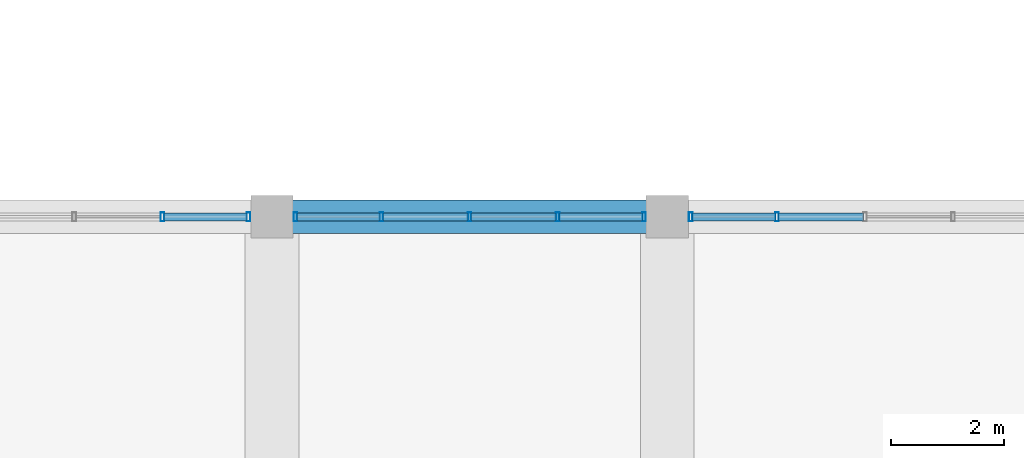
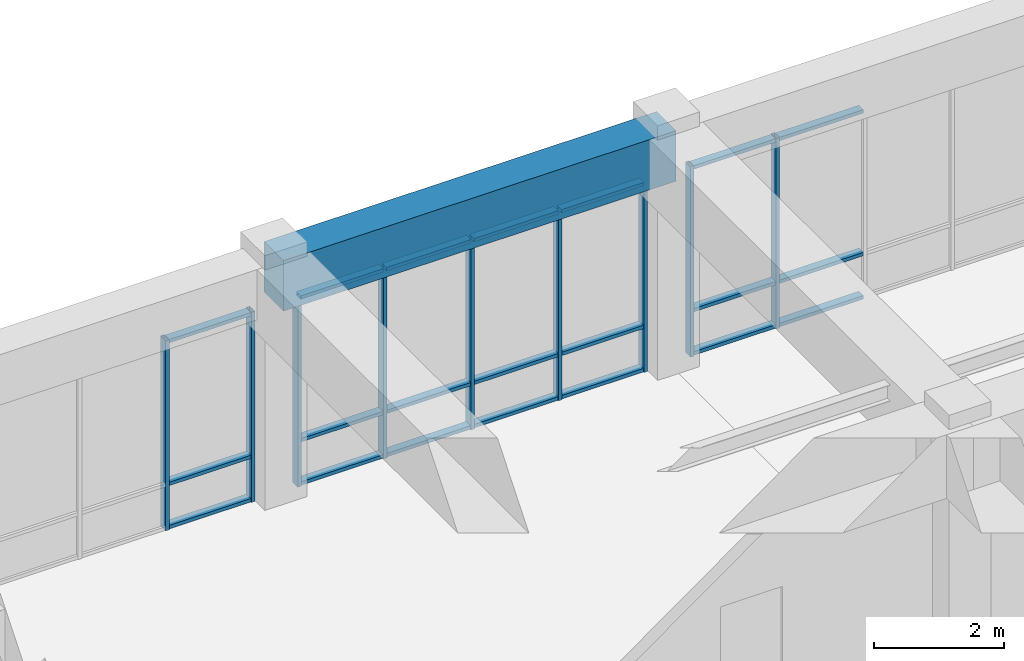
# One storey, part 57 of 99: 30 members, 1 beam, 3 elements without a shape of their own.
"""IFC4 building model written with IfcOpenShell, lengths in metres."""

from ifc_helpers import new_model, si_unit, direction, frame, origin, origin_2d, place, context, subcontext, project, spatial, rectangle, hollow_rectangle, extrude, material, layer, layer_set, material_profile, profile_set, type_object, element, aggregate, save


model = new_model("IFC4")

# Units and contexts
model_context = context("Model", 3, precision=1e-05, world=origin(), true_north=direction((0.0, 1.0)))
body_context = subcontext(model_context, "Body", "Model", "MODEL_VIEW")
ifc_project = project(units=[si_unit("LENGTHUNIT", "METRE"), si_unit("AREAUNIT", "SQUARE_METRE"), si_unit("VOLUMEUNIT", "CUBIC_METRE"), si_unit("PLANEANGLEUNIT", "RADIAN"), si_unit("MASSUNIT", "GRAM", prefix="KILO")], contexts=[model_context])

# Site, building, storey
site_placement = place(None, origin())
site = spatial("IfcSite", under=ifc_project, at=site_placement, CompositionType="ELEMENT")
building_placement = place(site_placement, origin())
building = spatial("IfcBuilding", under=site, at=building_placement, Name="Ventoquebrada Cableway Terminal", CompositionType="ELEMENT")
storey_placement = place(building_placement, frame((0.0, 0.0, 9.60009765625)))
storey = spatial("IfcBuildingStorey", under=building, at=storey_placement, Name="L02", CompositionType="ELEMENT", Elevation=9.60009765625)

# Beam
ifc_material_1 = material(Name="Concrete C40/50", Category="concrete")
ifc_material_profile_1 = material_profile(ifc_material_1, rectangle(XDim=0.60009765625, YDim=0.949951171875, at=origin_2d()), Name="RC-BM-600X950")
ifc_profile_set_1 = profile_set([ifc_material_profile_1], Name="Concrete C40/50")
beam_type = type_object("IfcBeamType", Name="BM-RC05", PredefinedType="BEAM", material=ifc_profile_set_1)
beam_placement = place(storey_placement, frame((102.0, 104.0, 4.054931640625), z_axis=(1.0, 0.0, 0.0), x_axis=(0.0, 1.0, 0.0)))
element("IfcBeam", 1, at=beam_placement, inside=storey, type_object=beam_type, Name="Perimeter spandrel beam FBM-0677", PredefinedType="BEAM", context=body_context, shape_type="SweptSolid", body=[
    extrude(rectangle(XDim=0.60009765625, YDim=0.949951171875, at=origin_2d()), origin(), (0.0, 0.0, 1.0), 7.0),
])

# Curtain wall, members
ifc_material_2 = material(Name="Anodized thermally-broken aluminium", Category="aluminium")
ifc_layer = layer(ifc_material_2, 0.159912109375)
ifc_layer_set = layer_set([ifc_layer], Name="Anodized thermally-broken aluminium")
curtain_wall_type = type_object("IfcCurtainWallType", Name="CW-T29", PredefinedType="USERDEFINED", material=ifc_layer_set)
curtain_wall_1_placement = place(storey_placement, origin())
curtain_wall_1 = element("IfcCurtainWall", 2, at=curtain_wall_1_placement, inside=storey, type_object=curtain_wall_type, Name="Unitised glazed curtain wall CW-069", ObjectType="UNITISED CURTAIN WALL", PredefinedType="USERDEFINED")
ifc_material_profile_2 = material_profile(ifc_material_2, hollow_rectangle(XDim=0.06494140625, YDim=0.159912109375, WallThickness=0.00390625, at=origin_2d()), Name="CW-MUL-65X160")
ifc_profile_set_2 = profile_set([ifc_material_profile_2], Name="Anodized thermally-broken aluminium")
member_type_1 = type_object("IfcMemberType", Name="CWM-01", PredefinedType="MULLION", material=ifc_profile_set_2)
member_1_placement = place(storey_placement, frame((101.5849609375, 104.0, -0.008056640625), z_axis=(0.0, 0.0, 1.0), x_axis=(-1.0, 0.0, 0.0)))
member_1 = element("IfcMember", 3, at=member_1_placement, type_object=member_type_1, Name="Curtain wall mullion FML-0320", PredefinedType="MULLION", context=body_context, shape_type="SweptSolid", body=[
    extrude(hollow_rectangle(XDim=0.06494140625, YDim=0.159912109375, WallThickness=0.00390625, at=origin_2d()), origin(), (0.0, 0.0, 1.0), 3.587890625),
])
member_2_placement = place(storey_placement, frame((100.06005859375, 104.0, -0.008056640625), z_axis=(0.0, 0.0, 1.0), x_axis=(-1.0, 0.0, 0.0)))
member_2 = element("IfcMember", 4, at=member_2_placement, type_object=member_type_1, Name="Curtain wall mullion FML-0321", PredefinedType="MULLION", context=body_context, shape_type="SweptSolid", body=[
    extrude(hollow_rectangle(XDim=0.06494140625, YDim=0.159912109375, WallThickness=0.00390625, at=origin_2d()), origin(), (0.0, 0.0, 1.0), 3.587890625),
])

curtain_wall_2_placement = place(storey_placement, origin())
curtain_wall_2 = element("IfcCurtainWall", 5, at=curtain_wall_2_placement, inside=storey, type_object=curtain_wall_type, Name="Unitised glazed curtain wall CW-070", ObjectType="UNITISED CURTAIN WALL", PredefinedType="USERDEFINED")
member_3_placement = place(storey_placement, frame((108.5849609375, 104.0, -0.008056640625), z_axis=(0.0, 0.0, 1.0), x_axis=(-1.0, 0.0, 0.0)))
member_3 = element("IfcMember", 6, at=member_3_placement, type_object=member_type_1, Name="Curtain wall mullion FML-0325", PredefinedType="MULLION", context=body_context, shape_type="SweptSolid", body=[
    extrude(hollow_rectangle(XDim=0.06494140625, YDim=0.159912109375, WallThickness=0.00390625, at=origin_2d()), origin(), (0.0, 0.0, 1.0), 3.587890625),
])
member_4_placement = place(storey_placement, frame((107.06005859375, 104.0, -0.008056640625), z_axis=(0.0, 0.0, 1.0), x_axis=(-1.0, 0.0, 0.0)))
member_4 = element("IfcMember", 7, at=member_4_placement, type_object=member_type_1, Name="Curtain wall mullion FML-0326", PredefinedType="MULLION", context=body_context, shape_type="SweptSolid", body=[
    extrude(hollow_rectangle(XDim=0.06494140625, YDim=0.159912109375, WallThickness=0.00390625, at=origin_2d()), origin(), (0.0, 0.0, 1.0), 3.587890625),
])
member_5_placement = place(storey_placement, frame((105.5, 104.0, -0.008056640625), z_axis=(0.0, 0.0, 1.0), x_axis=(-1.0, 0.0, 0.0)))
member_5 = element("IfcMember", 8, at=member_5_placement, type_object=member_type_1, Name="Curtain wall mullion FML-0327", PredefinedType="MULLION", context=body_context, shape_type="SweptSolid", body=[
    extrude(hollow_rectangle(XDim=0.06494140625, YDim=0.159912109375, WallThickness=0.00390625, at=origin_2d()), origin(), (0.0, 0.0, 1.0), 3.587890625),
])
member_6_placement = place(storey_placement, frame((103.93994140625, 104.0, -0.008056640625), z_axis=(0.0, 0.0, 1.0), x_axis=(-1.0, 0.0, 0.0)))
member_6 = element("IfcMember", 9, at=member_6_placement, type_object=member_type_1, Name="Curtain wall mullion FML-0328", PredefinedType="MULLION", context=body_context, shape_type="SweptSolid", body=[
    extrude(hollow_rectangle(XDim=0.06494140625, YDim=0.159912109375, WallThickness=0.00390625, at=origin_2d()), origin(), (0.0, 0.0, 1.0), 3.587890625),
])
member_7_placement = place(storey_placement, frame((102.4150390625, 104.0, -0.008056640625), z_axis=(0.0, 0.0, 1.0), x_axis=(-1.0, 0.0, 0.0)))
member_7 = element("IfcMember", 10, at=member_7_placement, type_object=member_type_1, Name="Curtain wall mullion FML-0329", PredefinedType="MULLION", context=body_context, shape_type="SweptSolid", body=[
    extrude(hollow_rectangle(XDim=0.06494140625, YDim=0.159912109375, WallThickness=0.00390625, at=origin_2d()), origin(), (0.0, 0.0, 1.0), 3.587890625),
])

curtain_wall_3_placement = place(storey_placement, origin())
curtain_wall_3 = element("IfcCurtainWall", 11, at=curtain_wall_3_placement, inside=storey, type_object=curtain_wall_type, Name="Unitised glazed curtain wall CW-071", ObjectType="UNITISED CURTAIN WALL", PredefinedType="USERDEFINED")
member_8_placement = place(storey_placement, frame((110.93994140625, 104.0, -0.008056640625), z_axis=(0.0, 0.0, 1.0), x_axis=(-1.0, 0.0, 0.0)))
member_8 = element("IfcMember", 12, at=member_8_placement, type_object=member_type_1, Name="Curtain wall mullion FML-0333", PredefinedType="MULLION", context=body_context, shape_type="SweptSolid", body=[
    extrude(hollow_rectangle(XDim=0.06494140625, YDim=0.159912109375, WallThickness=0.00390625, at=origin_2d()), origin(), (0.0, 0.0, 1.0), 3.587890625),
])
member_9_placement = place(storey_placement, frame((109.4150390625, 104.0, -0.008056640625), z_axis=(0.0, 0.0, 1.0), x_axis=(-1.0, 0.0, 0.0)))
member_9 = element("IfcMember", 13, at=member_9_placement, type_object=member_type_1, Name="Curtain wall mullion FML-0334", PredefinedType="MULLION", context=body_context, shape_type="SweptSolid", body=[
    extrude(hollow_rectangle(XDim=0.06494140625, YDim=0.159912109375, WallThickness=0.00390625, at=origin_2d()), origin(), (0.0, 0.0, 1.0), 3.587890625),
])

# Member
ifc_material_profile_3 = material_profile(ifc_material_2, hollow_rectangle(XDim=0.06494140625, YDim=0.139892578125, WallThickness=0.00390625, at=origin_2d()), Name="CW-TRN-65X140")
ifc_profile_set_3 = profile_set([ifc_material_profile_3], Name="Anodized thermally-broken aluminium")
member_type_2 = type_object("IfcMemberType", Name="CWT-01", PredefinedType="USERDEFINED", material=ifc_profile_set_3)
member_10_placement = place(storey_placement, frame((101.55810546875, 104.0, 0.034912109375), z_axis=(-1.0, 0.0, 0.0), x_axis=(0.0, 0.0, 1.0)))
member_10 = element("IfcMember", 14, at=member_10_placement, type_object=member_type_2, Name="Curtain wall transom FTR-0928", ObjectType="TRANSOM", PredefinedType="USERDEFINED", context=body_context, shape_type="SweptSolid", body=[
    extrude(hollow_rectangle(XDim=0.06494140625, YDim=0.139892578125, WallThickness=0.00390625, at=origin_2d()), origin(), (0.0, 0.0, 1.0), 1.47021484375),
])

member_11_placement = place(storey_placement, frame((101.55810546875, 104.0, 0.849853515625), z_axis=(-1.0, 0.0, 0.0), x_axis=(0.0, 0.0, 1.0)))
member_11 = element("IfcMember", 15, at=member_11_placement, type_object=member_type_2, Name="Curtain wall transom FTR-0929", ObjectType="TRANSOM", PredefinedType="USERDEFINED", context=body_context, shape_type="SweptSolid", body=[
    extrude(hollow_rectangle(XDim=0.06494140625, YDim=0.139892578125, WallThickness=0.00390625, at=origin_2d()), origin(), (0.0, 0.0, 1.0), 1.47021484375),
])

member_12_placement = place(storey_placement, frame((101.55810546875, 104.0, 3.539794921875), z_axis=(-1.0, 0.0, 0.0), x_axis=(0.0, 0.0, 1.0)))
member_12 = element("IfcMember", 16, at=member_12_placement, type_object=member_type_2, Name="Curtain wall transom FTR-0930", ObjectType="TRANSOM", PredefinedType="USERDEFINED", context=body_context, shape_type="SweptSolid", body=[
    extrude(hollow_rectangle(XDim=0.06494140625, YDim=0.139892578125, WallThickness=0.00390625, at=origin_2d()), origin(), (0.0, 0.0, 1.0), 1.47021484375),
])

aggregate(curtain_wall_1, [member_1, member_2, member_10, member_11, member_12])

member_13_placement = place(storey_placement, frame((108.55810546875, 104.0, 0.034912109375), z_axis=(-1.0, 0.0, 0.0), x_axis=(0.0, 0.0, 1.0)))
member_13 = element("IfcMember", 17, at=member_13_placement, type_object=member_type_2, Name="Curtain wall transom FTR-0940", ObjectType="TRANSOM", PredefinedType="USERDEFINED", context=body_context, shape_type="SweptSolid", body=[
    extrude(hollow_rectangle(XDim=0.06494140625, YDim=0.139892578125, WallThickness=0.00390625, at=origin_2d()), origin(), (0.0, 0.0, 1.0), 1.47021484375),
])

member_14_placement = place(storey_placement, frame((108.55810546875, 104.0, 0.849853515625), z_axis=(-1.0, 0.0, 0.0), x_axis=(0.0, 0.0, 1.0)))
member_14 = element("IfcMember", 18, at=member_14_placement, type_object=member_type_2, Name="Curtain wall transom FTR-0941", ObjectType="TRANSOM", PredefinedType="USERDEFINED", context=body_context, shape_type="SweptSolid", body=[
    extrude(hollow_rectangle(XDim=0.06494140625, YDim=0.139892578125, WallThickness=0.00390625, at=origin_2d()), origin(), (0.0, 0.0, 1.0), 1.47021484375),
])

member_15_placement = place(storey_placement, frame((108.55810546875, 104.0, 3.539794921875), z_axis=(-1.0, 0.0, 0.0), x_axis=(0.0, 0.0, 1.0)))
member_15 = element("IfcMember", 19, at=member_15_placement, type_object=member_type_2, Name="Curtain wall transom FTR-0942", ObjectType="TRANSOM", PredefinedType="USERDEFINED", context=body_context, shape_type="SweptSolid", body=[
    extrude(hollow_rectangle(XDim=0.06494140625, YDim=0.139892578125, WallThickness=0.00390625, at=origin_2d()), origin(), (0.0, 0.0, 1.0), 1.47021484375),
])

member_16_placement = place(storey_placement, frame((107.031982421875, 104.0, 0.034912109375), z_axis=(-1.0, 0.0, 0.0), x_axis=(0.0, 0.0, 1.0)))
member_16 = element("IfcMember", 20, at=member_16_placement, type_object=member_type_2, Name="Curtain wall transom FTR-0943", ObjectType="TRANSOM", PredefinedType="USERDEFINED", context=body_context, shape_type="SweptSolid", body=[
    extrude(hollow_rectangle(XDim=0.06494140625, YDim=0.139892578125, WallThickness=0.00390625, at=origin_2d()), origin(), (0.0, 0.0, 1.0), 1.50390625),
])

member_17_placement = place(storey_placement, frame((107.031982421875, 104.0, 0.849853515625), z_axis=(-1.0, 0.0, 0.0), x_axis=(0.0, 0.0, 1.0)))
member_17 = element("IfcMember", 21, at=member_17_placement, type_object=member_type_2, Name="Curtain wall transom FTR-0944", ObjectType="TRANSOM", PredefinedType="USERDEFINED", context=body_context, shape_type="SweptSolid", body=[
    extrude(hollow_rectangle(XDim=0.06494140625, YDim=0.139892578125, WallThickness=0.00390625, at=origin_2d()), origin(), (0.0, 0.0, 1.0), 1.50390625),
])

member_18_placement = place(storey_placement, frame((107.031982421875, 104.0, 3.539794921875), z_axis=(-1.0, 0.0, 0.0), x_axis=(0.0, 0.0, 1.0)))
member_18 = element("IfcMember", 22, at=member_18_placement, type_object=member_type_2, Name="Curtain wall transom FTR-0945", ObjectType="TRANSOM", PredefinedType="USERDEFINED", context=body_context, shape_type="SweptSolid", body=[
    extrude(hollow_rectangle(XDim=0.06494140625, YDim=0.139892578125, WallThickness=0.00390625, at=origin_2d()), origin(), (0.0, 0.0, 1.0), 1.50390625),
])

member_19_placement = place(storey_placement, frame((105.471923828125, 104.0, 0.034912109375), z_axis=(-1.0, 0.0, 0.0), x_axis=(0.0, 0.0, 1.0)))
member_19 = element("IfcMember", 23, at=member_19_placement, type_object=member_type_2, Name="Curtain wall transom FTR-0946", ObjectType="TRANSOM", PredefinedType="USERDEFINED", context=body_context, shape_type="SweptSolid", body=[
    extrude(hollow_rectangle(XDim=0.06494140625, YDim=0.139892578125, WallThickness=0.00390625, at=origin_2d()), origin(), (0.0, 0.0, 1.0), 1.50390625),
])

member_20_placement = place(storey_placement, frame((105.471923828125, 104.0, 0.849853515625), z_axis=(-1.0, 0.0, 0.0), x_axis=(0.0, 0.0, 1.0)))
member_20 = element("IfcMember", 24, at=member_20_placement, type_object=member_type_2, Name="Curtain wall transom FTR-0947", ObjectType="TRANSOM", PredefinedType="USERDEFINED", context=body_context, shape_type="SweptSolid", body=[
    extrude(hollow_rectangle(XDim=0.06494140625, YDim=0.139892578125, WallThickness=0.00390625, at=origin_2d()), origin(), (0.0, 0.0, 1.0), 1.50390625),
])

member_21_placement = place(storey_placement, frame((105.471923828125, 104.0, 3.539794921875), z_axis=(-1.0, 0.0, 0.0), x_axis=(0.0, 0.0, 1.0)))
member_21 = element("IfcMember", 25, at=member_21_placement, type_object=member_type_2, Name="Curtain wall transom FTR-0948", ObjectType="TRANSOM", PredefinedType="USERDEFINED", context=body_context, shape_type="SweptSolid", body=[
    extrude(hollow_rectangle(XDim=0.06494140625, YDim=0.139892578125, WallThickness=0.00390625, at=origin_2d()), origin(), (0.0, 0.0, 1.0), 1.50390625),
])

member_22_placement = place(storey_placement, frame((103.912109375, 104.0, 0.034912109375), z_axis=(-1.0, 0.0, 0.0), x_axis=(0.0, 0.0, 1.0)))
member_22 = element("IfcMember", 26, at=member_22_placement, type_object=member_type_2, Name="Curtain wall transom FTR-0949", ObjectType="TRANSOM", PredefinedType="USERDEFINED", context=body_context, shape_type="SweptSolid", body=[
    extrude(hollow_rectangle(XDim=0.06494140625, YDim=0.139892578125, WallThickness=0.00390625, at=origin_2d()), origin(), (0.0, 0.0, 1.0), 1.47021484375),
])

member_23_placement = place(storey_placement, frame((103.912109375, 104.0, 0.849853515625), z_axis=(-1.0, 0.0, 0.0), x_axis=(0.0, 0.0, 1.0)))
member_23 = element("IfcMember", 27, at=member_23_placement, type_object=member_type_2, Name="Curtain wall transom FTR-0950", ObjectType="TRANSOM", PredefinedType="USERDEFINED", context=body_context, shape_type="SweptSolid", body=[
    extrude(hollow_rectangle(XDim=0.06494140625, YDim=0.139892578125, WallThickness=0.00390625, at=origin_2d()), origin(), (0.0, 0.0, 1.0), 1.47021484375),
])

member_24_placement = place(storey_placement, frame((103.912109375, 104.0, 3.539794921875), z_axis=(-1.0, 0.0, 0.0), x_axis=(0.0, 0.0, 1.0)))
member_24 = element("IfcMember", 28, at=member_24_placement, type_object=member_type_2, Name="Curtain wall transom FTR-0951", ObjectType="TRANSOM", PredefinedType="USERDEFINED", context=body_context, shape_type="SweptSolid", body=[
    extrude(hollow_rectangle(XDim=0.06494140625, YDim=0.139892578125, WallThickness=0.00390625, at=origin_2d()), origin(), (0.0, 0.0, 1.0), 1.47021484375),
])

aggregate(curtain_wall_2, [member_3, member_4, member_5, member_6, member_7, member_13, member_14, member_15, member_16, member_17, member_18, member_19, member_20, member_21, member_22, member_23, member_24])

member_25_placement = place(storey_placement, frame((112.471923828125, 104.0, 0.034912109375), z_axis=(-1.0, 0.0, 0.0), x_axis=(0.0, 0.0, 1.0)))
member_25 = element("IfcMember", 29, at=member_25_placement, type_object=member_type_2, Name="Curtain wall transom FTR-0958", ObjectType="TRANSOM", PredefinedType="USERDEFINED", context=body_context, shape_type="SweptSolid", body=[
    extrude(hollow_rectangle(XDim=0.06494140625, YDim=0.139892578125, WallThickness=0.00390625, at=origin_2d()), origin(), (0.0, 0.0, 1.0), 1.50390625),
])

member_26_placement = place(storey_placement, frame((112.471923828125, 104.0, 0.849853515625), z_axis=(-1.0, 0.0, 0.0), x_axis=(0.0, 0.0, 1.0)))
member_26 = element("IfcMember", 30, at=member_26_placement, type_object=member_type_2, Name="Curtain wall transom FTR-0959", ObjectType="TRANSOM", PredefinedType="USERDEFINED", context=body_context, shape_type="SweptSolid", body=[
    extrude(hollow_rectangle(XDim=0.06494140625, YDim=0.139892578125, WallThickness=0.00390625, at=origin_2d()), origin(), (0.0, 0.0, 1.0), 1.50390625),
])

member_27_placement = place(storey_placement, frame((112.471923828125, 104.0, 3.539794921875), z_axis=(-1.0, 0.0, 0.0), x_axis=(0.0, 0.0, 1.0)))
member_27 = element("IfcMember", 31, at=member_27_placement, type_object=member_type_2, Name="Curtain wall transom FTR-0960", ObjectType="TRANSOM", PredefinedType="USERDEFINED", context=body_context, shape_type="SweptSolid", body=[
    extrude(hollow_rectangle(XDim=0.06494140625, YDim=0.139892578125, WallThickness=0.00390625, at=origin_2d()), origin(), (0.0, 0.0, 1.0), 1.50390625),
])

member_28_placement = place(storey_placement, frame((110.912109375, 104.0, 0.034912109375), z_axis=(-1.0, 0.0, 0.0), x_axis=(0.0, 0.0, 1.0)))
member_28 = element("IfcMember", 32, at=member_28_placement, type_object=member_type_2, Name="Curtain wall transom FTR-0961", ObjectType="TRANSOM", PredefinedType="USERDEFINED", context=body_context, shape_type="SweptSolid", body=[
    extrude(hollow_rectangle(XDim=0.06494140625, YDim=0.139892578125, WallThickness=0.00390625, at=origin_2d()), origin(), (0.0, 0.0, 1.0), 1.47021484375),
])

member_29_placement = place(storey_placement, frame((110.912109375, 104.0, 0.849853515625), z_axis=(-1.0, 0.0, 0.0), x_axis=(0.0, 0.0, 1.0)))
member_29 = element("IfcMember", 33, at=member_29_placement, type_object=member_type_2, Name="Curtain wall transom FTR-0962", ObjectType="TRANSOM", PredefinedType="USERDEFINED", context=body_context, shape_type="SweptSolid", body=[
    extrude(hollow_rectangle(XDim=0.06494140625, YDim=0.139892578125, WallThickness=0.00390625, at=origin_2d()), origin(), (0.0, 0.0, 1.0), 1.47021484375),
])

member_30_placement = place(storey_placement, frame((110.912109375, 104.0, 3.539794921875), z_axis=(-1.0, 0.0, 0.0), x_axis=(0.0, 0.0, 1.0)))
member_30 = element("IfcMember", 34, at=member_30_placement, type_object=member_type_2, Name="Curtain wall transom FTR-0963", ObjectType="TRANSOM", PredefinedType="USERDEFINED", context=body_context, shape_type="SweptSolid", body=[
    extrude(hollow_rectangle(XDim=0.06494140625, YDim=0.139892578125, WallThickness=0.00390625, at=origin_2d()), origin(), (0.0, 0.0, 1.0), 1.47021484375),
])

aggregate(curtain_wall_3, [member_8, member_9, member_25, member_26, member_27, member_28, member_29, member_30])

save(model, "model.ifc")
